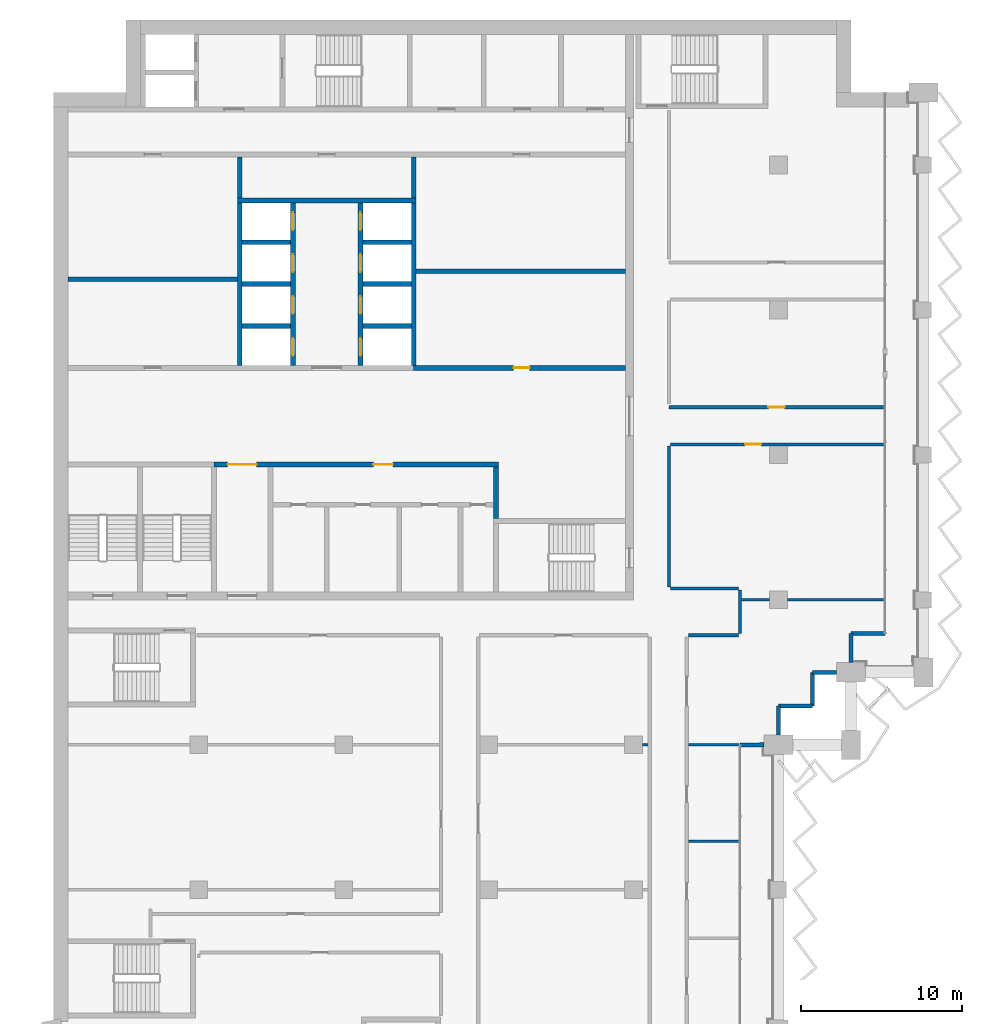
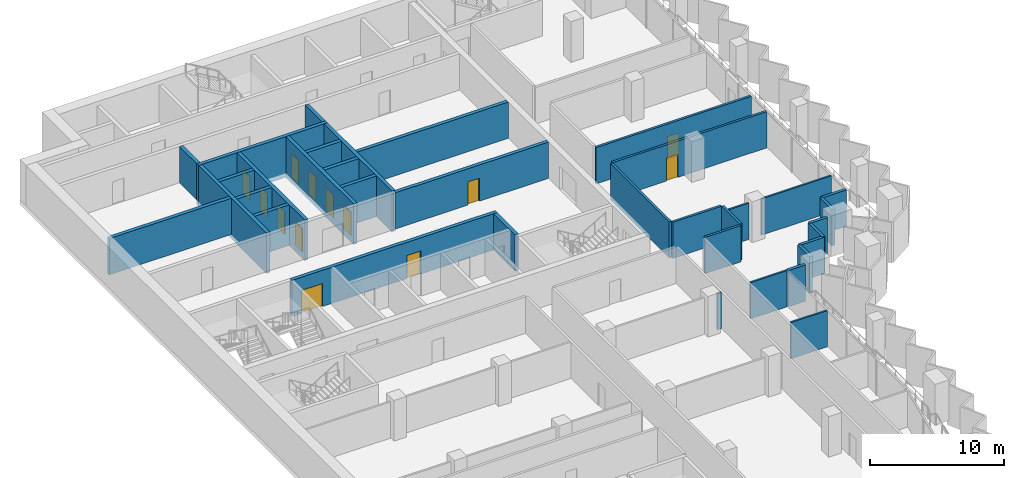
# One storey, part 9 of 17: 36 walls, 13 doors, 13 openings.
"""IFC4 building model written with IfcOpenShell, lengths in metres."""

from ifc_helpers import new_model, si_unit, direction, frame, frame_2d, origin, place, context, subcontext, project, spatial, rectangle, extrude, material, layer, layer_set, type_object, element, fill, save


model = new_model("IFC4")

# Units and contexts
model_context = context("Model", 3, precision=1e-05, world=origin(), true_north=direction((0.0, 1.0)))
body_context = subcontext(model_context, "Body", "Model", "MODEL_VIEW")
ifc_project = project(units=[si_unit("LENGTHUNIT", "METRE"), si_unit("AREAUNIT", "SQUARE_METRE"), si_unit("VOLUMEUNIT", "CUBIC_METRE"), si_unit("PLANEANGLEUNIT", "RADIAN"), si_unit("MASSUNIT", "GRAM", prefix="KILO")], contexts=[model_context])

# Site, building, storey
site_placement = place(None, origin())
site = spatial("IfcSite", under=ifc_project, at=site_placement, CompositionType="ELEMENT")
building_placement = place(site_placement, origin())
building = spatial("IfcBuilding", under=site, at=building_placement, Name="Hunhe Ridgeline Campus", CompositionType="ELEMENT")
storey_placement = place(building_placement, frame((0.0, 0.0, 201.300048828125)))
storey = spatial("IfcBuildingStorey", under=building, at=storey_placement, Name="L51", CompositionType="ELEMENT", Elevation=201.300048828125)

# Wall, openings, doors
ifc_material_1 = material(Name="Masonry concrete blockwork", Category="masonry")
ifc_layer_1 = layer(ifc_material_1, 0.300048828125)
ifc_layer_set_1 = layer_set([ifc_layer_1], Name="Core room partition 300 concrete block")
wall_type_1 = type_object("IfcWallType", Name="Core room partition 300 concrete block", PredefinedType="PARTITIONING", material=ifc_layer_set_1)
wall_1_placement = place(storey_placement, frame((9.949951171875, 71.39990234375, 0.0), z_axis=(0.0, 0.0, 1.0), x_axis=(1.0, 0.0, 0.0)))
wall_1 = element("IfcWall", 1, at=wall_1_placement, inside=storey, type_object=wall_type_1, Name="L51 core partition 11", PredefinedType="PARTITIONING", context=body_context, shape_type="SweptSolid", body=[
    extrude(rectangle(XDim=17.650146484375, YDim=0.300048828125, at=frame_2d((8.8251953125, 0.0))), origin(), (0.0, 0.0, 1.0), 3.300048828125),
])
opening_1_placement = place(wall_1_placement, frame((0.85009765625, 0.0, 0.0)))
opening_1 = element("IfcOpeningElement", 2, at=opening_1_placement, cuts=wall_1, Name="Opening CD7", PredefinedType="OPENING", context=body_context, shape_type="SweptSolid", body=[
    extrude(rectangle(XDim=1.800048828125, YDim=2.10009765625, at=frame_2d((0.89990234375, 1.050048828125))), frame((0.0, 0.14990234375, 0.0), z_axis=(0.0, -1.0, 0.0), x_axis=(1.0, 0.0, 0.0)), (0.0, 0.0, 1.0), 0.300048828125),
])
opening_2_placement = place(wall_1_placement, frame((9.89990234375, 0.0, 0.0)))
opening_2 = element("IfcOpeningElement", 3, at=opening_2_placement, cuts=wall_1, Name="Opening CD12", PredefinedType="OPENING", context=body_context, shape_type="SweptSolid", body=[
    extrude(rectangle(XDim=1.199951171875, YDim=2.10009765625, at=frame_2d((0.60009765625, 1.050048828125))), frame((0.0, 0.14990234375, 0.0), z_axis=(0.0, -1.0, 0.0), x_axis=(1.0, 0.0, 0.0)), (0.0, 0.0, 1.0), 0.300048828125),
])
ifc_material_2 = material(Name="Anodised aluminium and glass", Category="aluminium")
door_type_1 = type_object("IfcDoorType", Name="Glazed double door 1800x2100", OperationType="DOUBLE_DOOR_SINGLE_SWING", PredefinedType="DOOR", material=ifc_material_2)
door_1_placement = place(opening_1_placement, origin())
door_1 = element("IfcDoor", 4, at=door_1_placement, inside=storey, type_object=door_type_1, Name="L51 door VEST-HALL", OperationType="DOUBLE_DOOR_SINGLE_SWING", OverallHeight=2.10009765625, OverallWidth=1.800048828125, PredefinedType="DOOR", context=body_context, shape_type="SweptSolid", body=[
    extrude(rectangle(XDim=1.800048828125, YDim=2.10009765625, at=frame_2d((0.89990234375, 1.050048828125))), frame((0.0, 0.02490234375, 0.0), z_axis=(0.0, -1.0, 0.0), x_axis=(1.0, 0.0, 0.0)), (0.0, 0.0, 1.0), 0.050048828125),
])
fill(opening_1, door_1)
ifc_material_3 = material(Name="Solid core timber door leaf", Category="wood")
door_type_2 = type_object("IfcDoorType", Name="Timber door 1200x2100", OperationType="SINGLE_SWING_LEFT", PredefinedType="DOOR", material=ifc_material_3)
door_2_placement = place(opening_2_placement, origin())
door_2 = element("IfcDoor", 5, at=door_2_placement, inside=storey, type_object=door_type_2, Name="L51 door WCL2-HALL", OperationType="SINGLE_SWING_RIGHT", OverallHeight=2.10009765625, OverallWidth=1.199951171875, PredefinedType="DOOR", context=body_context, shape_type="SweptSolid", body=[
    extrude(rectangle(XDim=1.199951171875, YDim=2.10009765625, at=frame_2d((0.60009765625, 1.050048828125))), frame((0.0, 0.02490234375, 0.0), z_axis=(0.0, -1.0, 0.0), x_axis=(1.0, 0.0, 0.0)), (0.0, 0.0, 1.0), 0.050048828125),
])
fill(opening_2, door_2)

# Wall, opening, door
wall_2_placement = place(storey_placement, frame((22.35009765625, 77.39990234375, 0.0), z_axis=(0.0, 0.0, 1.0), x_axis=(1.0, 0.0, 0.0)))
wall_2 = element("IfcWall", 6, at=wall_2_placement, inside=storey, type_object=wall_type_1, Name="L51 core partition 13", PredefinedType="PARTITIONING", context=body_context, shape_type="SweptSolid", body=[
    extrude(rectangle(XDim=13.14990234375, YDim=0.300048828125, at=frame_2d((6.574951171875, 0.0))), origin(), (0.0, 0.0, 1.0), 3.300048828125),
])
opening_3_placement = place(wall_2_placement, frame((6.199951171875, 0.0, 0.0)))
opening_3 = element("IfcOpeningElement", 7, at=opening_3_placement, cuts=wall_2, Name="Opening CD32", PredefinedType="OPENING", context=body_context, shape_type="SweptSolid", body=[
    extrude(rectangle(XDim=1.0, YDim=2.10009765625, at=frame_2d((0.5, 1.050048828125))), frame((0.0, 0.14990234375, 0.0), z_axis=(0.0, -1.0, 0.0), x_axis=(1.0, 0.0, 0.0)), (0.0, 0.0, 1.0), 0.300048828125),
])
door_type_3 = type_object("IfcDoorType", Name="Timber door 1000x2100", OperationType="SINGLE_SWING_LEFT", PredefinedType="DOOR", material=ifc_material_3)
door_3_placement = place(opening_3_placement, origin())
door_3 = element("IfcDoor", 8, at=door_3_placement, inside=storey, type_object=door_type_3, Name="L51 door ES0", OperationType="SINGLE_SWING_RIGHT", OverallHeight=2.10009765625, OverallWidth=1.0, PredefinedType="DOOR", context=body_context, shape_type="SweptSolid", body=[
    extrude(rectangle(XDim=1.0, YDim=2.10009765625, at=frame_2d((0.5, 1.050048828125))), frame((0.0, 0.02490234375, 0.0), z_axis=(0.0, -1.0, 0.0), x_axis=(1.0, 0.0, 0.0)), (0.0, 0.0, 1.0), 0.050048828125),
])
fill(opening_3, door_3)

# Walls
wall_3_placement = place(storey_placement, frame((0.89990234375, 82.89990234375, 0.0), z_axis=(0.0, 0.0, 1.0), x_axis=(1.0, 0.0, 0.0)))
element("IfcWall", 9, at=wall_3_placement, inside=storey, type_object=wall_type_1, Name="L51 core partition 18", PredefinedType="PARTITIONING", context=body_context, shape_type="SweptSolid", body=[
    extrude(rectangle(XDim=10.5, YDim=0.300048828125, at=frame_2d((5.25, 0.0))), origin(), (0.0, 0.0, 1.0), 3.300048828125),
])
wall_4_placement = place(storey_placement, frame((22.5, 83.39990234375, 0.0), z_axis=(0.0, 0.0, 1.0), x_axis=(1.0, 0.0, 0.0)))
element("IfcWall", 10, at=wall_4_placement, inside=storey, type_object=wall_type_1, Name="L51 core partition 19", PredefinedType="PARTITIONING", context=body_context, shape_type="SweptSolid", body=[
    extrude(rectangle(XDim=13.0, YDim=0.300048828125, at=frame_2d((6.5, 0.0))), origin(), (0.0, 0.0, 1.0), 3.300048828125),
])
for number, where, z_axis, x_axis, name in (
    (11, (11.550048828125, 87.949951171875, 0.0), (0.0, 0.0, 1.0), (0.0, 1.0, 0.0), "L51 core partition 34"),
    (12, (22.35009765625, 87.949951171875, 0.0), (0.0, 0.0, 1.0), (0.0, 1.0, 0.0), "L51 core partition 44"),
):
    element("IfcWall", number, at=place(storey_placement, frame(where, z_axis=z_axis, x_axis=x_axis)), inside=storey, type_object=wall_type_1, Name=name, PredefinedType="PARTITIONING", context=body_context, shape_type="SweptSolid", body=[
        extrude(rectangle(XDim=2.550048828125, YDim=0.300048828125, at=frame_2d((1.27490234375, 0.0))), origin(), (0.0, 0.0, 1.0), 3.300048828125),
    ])
wall_5_placement = place(storey_placement, frame((27.449951171875, 68.050048828125, 0.0), z_axis=(0.0, 0.0, 1.0), x_axis=(0.0, 1.0, 0.0)))
element("IfcWall", 13, at=wall_5_placement, inside=storey, type_object=wall_type_1, Name="L51 core partition 49", PredefinedType="PARTITIONING", context=body_context, shape_type="SweptSolid", body=[
    extrude(rectangle(XDim=3.199951171875, YDim=0.300048828125, at=frame_2d((1.60009765625, 0.0))), origin(), (0.0, 0.0, 1.0), 3.300048828125),
])
ifc_material_4 = material(Name="Concrete C30", Category="concrete")
ifc_layer_2 = layer(ifc_material_4, 0.25)
ifc_layer_set_2 = layer_set([ifc_layer_2], Name="Corner return wall 250 Concrete C30")
wall_type_2 = type_object("IfcWallType", Name="Corner return wall 250 Concrete C30", PredefinedType="SOLIDWALL", material=ifc_layer_set_2)
wall_6_placement = place(storey_placement, frame((42.59912109375, 54.00048828125, 0.0), z_axis=(0.0, 0.0, 1.0), x_axis=(0.999999986772, 0.00016265452, 0.0)))
element("IfcWall", 14, at=wall_6_placement, inside=storey, type_object=wall_type_2, Name="Corner return wall 2", PredefinedType="SOLIDWALL", context=body_context, shape_type="SweptSolid", body=[
    extrude(rectangle(XDim=1.5009765625, YDim=0.25, at=frame_2d((0.75048828125, 0.0))), origin(), (0.0, 0.0, 1.0), 3.300048828125),
])
wall_7_placement = place(storey_placement, frame((44.9990234375, 54.60009765625, 0.0), z_axis=(0.0, 0.0, 1.0), x_axis=(0.000135593219, 0.999999990807, 0.0)))
element("IfcWall", 15, at=wall_7_placement, inside=storey, type_object=wall_type_2, Name="Corner return wall 3", PredefinedType="SOLIDWALL", context=body_context, shape_type="SweptSolid", body=[
    extrude(rectangle(XDim=1.800537109375, YDim=0.25, at=frame_2d((0.900390625, 0.0))), origin(), (0.0, 0.0, 1.0), 3.300048828125),
])
wall_8_placement = place(storey_placement, frame((44.999267578125, 56.400634765625, 0.0), z_axis=(0.0, 0.0, 1.0), x_axis=(0.999999993241, 0.00011626555, 0.0)))
element("IfcWall", 16, at=wall_8_placement, inside=storey, type_object=wall_type_2, Name="Corner return wall 4", PredefinedType="SOLIDWALL", context=body_context, shape_type="SweptSolid", body=[
    extrude(rectangle(XDim=2.099853515625, YDim=0.25, at=frame_2d((1.0498046875, 0.0))), origin(), (0.0, 0.0, 1.0), 3.300048828125),
])
wall_9_placement = place(storey_placement, frame((47.09912109375, 56.40087890625, 0.0), z_axis=(0.0, 0.0, 1.0), x_axis=(0.000232504063, 0.999999972971, 0.0)))
element("IfcWall", 17, at=wall_9_placement, inside=storey, type_object=wall_type_2, Name="Corner return wall 5", PredefinedType="SOLIDWALL", context=body_context, shape_type="SweptSolid", body=[
    extrude(rectangle(XDim=2.10009765625, YDim=0.25, at=frame_2d((1.050048828125, 0.0))), origin(), (0.0, 0.0, 1.0), 3.300048828125),
])
wall_10_placement = place(storey_placement, frame((47.099609375, 58.5009765625, 0.0), z_axis=(0.0, 0.0, 1.0), x_axis=(1.0, 0.0, 0.0)))
element("IfcWall", 18, at=wall_10_placement, inside=storey, type_object=wall_type_2, Name="Corner return wall 6", PredefinedType="SOLIDWALL", context=body_context, shape_type="SweptSolid", body=[
    extrude(rectangle(XDim=1.50048828125, YDim=0.25, at=frame_2d((0.750244140625, 0.0))), origin(), (0.0, 0.0, 1.0), 3.300048828125),
])
wall_11_placement = place(storey_placement, frame((49.4990234375, 59.10009765625, 0.0), z_axis=(0.0, 0.0, 1.0), x_axis=(0.000271149665, 0.999999963239, 0.0)))
element("IfcWall", 19, at=wall_11_placement, inside=storey, type_object=wall_type_2, Name="Corner return wall 7", PredefinedType="SOLIDWALL", context=body_context, shape_type="SweptSolid", body=[
    extrude(rectangle(XDim=1.80078125, YDim=0.25, at=frame_2d((0.900390625, 0.0))), origin(), (0.0, 0.0, 1.0), 3.300048828125),
])
wall_12_placement = place(storey_placement, frame((49.49951171875, 60.90087890625, 0.0), z_axis=(0.0, 0.0, 1.0), x_axis=(1.0, 0.0, 0.0)))
element("IfcWall", 20, at=wall_12_placement, inside=storey, type_object=wall_type_2, Name="Corner return wall 8", PredefinedType="SOLIDWALL", context=body_context, shape_type="SweptSolid", body=[
    extrude(rectangle(XDim=2.099609375, YDim=0.25, at=frame_2d((1.0498046875, 0.0))), origin(), (0.0, 0.0, 1.0), 3.300048828125),
])
ifc_material_5 = material(Name="Gypsum board partition")
ifc_layer_3 = layer(ifc_material_5, 0.199951171875)
ifc_layer_set_3 = layer_set([ifc_layer_3], Name="Corridor partition 200 gypsum board on steel studs")
wall_type_3 = type_object("IfcWallType", Name="Corridor partition 200 gypsum board on steel studs", PredefinedType="PARTITIONING", material=ifc_layer_set_3)
wall_13_placement = place(storey_placement, frame((42.5, 60.800048828125, 0.0), z_axis=(0.0, 0.0, 1.0), x_axis=(-1.0, 0.0, 0.0)))
element("IfcWall", 21, at=wall_13_placement, inside=storey, type_object=wall_type_3, Name="F-L51-wall-028", PredefinedType="PARTITIONING", context=body_context, shape_type="SweptSolid", body=[
    extrude(rectangle(XDim=3.10009765625, YDim=0.199951171875, at=frame_2d((1.550048828125, 0.0))), origin(), (0.0, 0.0, 1.0), 3.300048828125),
])
wall_14_placement = place(storey_placement, frame((38.300048828125, 63.699951171875, 0.0), z_axis=(0.0, 0.0, 1.0), x_axis=(1.0, 0.0, 0.0)))
element("IfcWall", 22, at=wall_14_placement, inside=storey, type_object=wall_type_3, Name="F-L51-wall-031", PredefinedType="PARTITIONING", context=body_context, shape_type="SweptSolid", body=[
    extrude(rectangle(XDim=4.199951171875, YDim=0.199951171875, at=frame_2d((2.10009765625, 0.0))), origin(), (0.0, 0.0, 1.0), 3.300048828125),
])

# Wall, opening, door
wall_15_placement = place(storey_placement, frame((51.544921875, 72.64990234375, 0.0), z_axis=(0.0, 0.0, 1.0), x_axis=(-1.0, 0.0, 0.0)))
wall_15 = element("IfcWall", 23, at=wall_15_placement, inside=storey, type_object=wall_type_3, Name="F-L51-wall-032", PredefinedType="PARTITIONING", context=body_context, shape_type="SweptSolid", body=[
    extrude(rectangle(XDim=13.244873046875, YDim=0.199951171875, at=frame_2d((6.62255859375, 0.0))), origin(), (0.0, 0.0, 1.0), 3.300048828125),
])
opening_4_placement = place(wall_15_placement, frame((7.62255859375, 0.0, 0.0)))
opening_4 = element("IfcOpeningElement", 24, at=opening_4_placement, cuts=wall_15, Name="Opening RD1-016", PredefinedType="OPENING", context=body_context, shape_type="SweptSolid", body=[
    extrude(rectangle(XDim=1.0, YDim=2.10009765625, at=frame_2d((0.5, 1.050048828125))), frame((0.0, 0.10009765625, 0.0), z_axis=(0.0, -1.0, 0.0), x_axis=(1.0, 0.0, 0.0)), (0.0, 0.0, 1.0), 0.199951171875),
])
ifc_material_6 = material(Name="Timber door leaf", Category="wood")
door_type_4 = type_object("IfcDoorType", Name="Single fire door 1000x2100 timber FD60", OperationType="NOTDEFINED", PredefinedType="DOOR", material=ifc_material_6)
door_4_placement = place(opening_4_placement, origin())
door_4 = element("IfcDoor", 25, at=door_4_placement, inside=storey, type_object=door_type_4, Name="F-L51-door-016", OperationType="SINGLE_SWING_RIGHT", OverallHeight=2.10009765625, OverallWidth=1.0, PredefinedType="DOOR", context=body_context, shape_type="SweptSolid", body=[
    extrude(rectangle(XDim=1.0, YDim=2.10009765625, at=frame_2d((0.5, 1.050048828125))), frame((0.0, 0.02490234375, 0.0), z_axis=(0.0, -1.0, 0.0), x_axis=(1.0, 0.0, 0.0)), (0.0, 0.0, 1.0), 0.050048828125),
])
fill(opening_4, door_4)

wall_16_placement = place(storey_placement, frame((38.199951171875, 74.949951171875, 0.0), z_axis=(0.0, 0.0, 1.0), x_axis=(1.0, 0.0, 0.0)))
wall_16 = element("IfcWall", 26, at=wall_16_placement, inside=storey, type_object=wall_type_3, Name="F-L51-wall-033", PredefinedType="PARTITIONING", context=body_context, shape_type="SweptSolid", body=[
    extrude(rectangle(XDim=13.344970703125, YDim=0.199951171875, at=frame_2d((6.67236328125, 0.0))), origin(), (0.0, 0.0, 1.0), 3.300048828125),
])
opening_5_placement = place(wall_16_placement, frame((6.172607421875, 0.0, 0.0)))
opening_5 = element("IfcOpeningElement", 27, at=opening_5_placement, cuts=wall_16, Name="Opening RD1-017", PredefinedType="OPENING", context=body_context, shape_type="SweptSolid", body=[
    extrude(rectangle(XDim=1.0, YDim=2.10009765625, at=frame_2d((0.5, 1.050048828125))), frame((0.0, 0.10009765625, 0.0), z_axis=(0.0, -1.0, 0.0), x_axis=(1.0, 0.0, 0.0)), (0.0, 0.0, 1.0), 0.199951171875),
])
door_5_placement = place(opening_5_placement, origin())
door_5 = element("IfcDoor", 28, at=door_5_placement, inside=storey, type_object=door_type_4, Name="F-L51-door-017", OperationType="SINGLE_SWING_LEFT", OverallHeight=2.10009765625, OverallWidth=1.0, PredefinedType="DOOR", context=body_context, shape_type="SweptSolid", body=[
    extrude(rectangle(XDim=1.0, YDim=2.10009765625, at=frame_2d((0.5, 1.050048828125))), frame((0.0, 0.02490234375, 0.0), z_axis=(0.0, -1.0, 0.0), x_axis=(1.0, 0.0, 0.0)), (0.0, 0.0, 1.0), 0.050048828125),
])
fill(opening_5, door_5)

# Walls
wall_17_placement = place(storey_placement, frame((38.199951171875, 72.550048828125, 0.0), z_axis=(0.0, 0.0, 1.0), x_axis=(0.0, -1.0, 0.0)))
element("IfcWall", 29, at=wall_17_placement, inside=storey, type_object=wall_type_3, Name="F-L51-wall-044", PredefinedType="PARTITIONING", context=body_context, shape_type="SweptSolid", body=[
    extrude(rectangle(XDim=8.75, YDim=0.199951171875, at=frame_2d((4.375, 0.0))), origin(), (0.0, 0.0, 1.0), 3.300048828125),
])
wall_18_placement = place(storey_placement, frame((42.60009765625, 63.60009765625, 0.0), z_axis=(0.0, 0.0, 1.0), x_axis=(0.0, -1.0, 0.0)))
element("IfcWall", 30, at=wall_18_placement, inside=storey, type_object=wall_type_3, Name="F-L51-wall-048", PredefinedType="PARTITIONING", context=body_context, shape_type="SweptSolid", body=[
    extrude(rectangle(XDim=2.7001953125, YDim=0.199951171875, at=frame_2d((1.35009765625, 0.0))), origin(), (0.0, 0.0, 1.0), 3.300048828125),
])
ifc_layer_4 = layer(ifc_material_5, 0.14990234375)
ifc_layer_set_4 = layer_set([ifc_layer_4], Name="Room partition 150 gypsum board on steel studs")
wall_type_4 = type_object("IfcWallType", Name="Room partition 150 gypsum board on steel studs", PredefinedType="PARTITIONING", material=ifc_layer_set_4)
wall_19_placement = place(storey_placement, frame((39.39990234375, 48.0, 0.0), z_axis=(0.0, 0.0, 1.0), x_axis=(1.0, 0.0, 0.0)))
element("IfcWall", 31, at=wall_19_placement, inside=storey, type_object=wall_type_4, Name="F-L51-wall-019", PredefinedType="PARTITIONING", context=body_context, shape_type="SweptSolid", body=[
    extrude(rectangle(XDim=3.145263671875, YDim=0.14990234375, at=frame_2d((1.57275390625, 0.0))), origin(), (0.0, 0.0, 1.0), 3.300048828125),
])
wall_20_placement = place(storey_placement, frame((36.550048828125, 54.0, 0.0), z_axis=(0.0, 0.0, 1.0), x_axis=(1.0, 0.0, 0.0)))
element("IfcWall", 32, at=wall_20_placement, inside=storey, type_object=wall_type_4, Name="F-L51-wall-024", PredefinedType="PARTITIONING", context=body_context, shape_type="SweptSolid", body=[
    extrude(rectangle(XDim=0.349853515625, YDim=0.14990234375, at=frame_2d((0.1748046875, 0.0))), origin(), (0.0, 0.0, 1.0), 3.300048828125),
])
wall_21_placement = place(storey_placement, frame((39.39990234375, 54.0, 0.0), z_axis=(0.0, 0.0, 1.0), x_axis=(1.0, 0.0, 0.0)))
element("IfcWall", 33, at=wall_21_placement, inside=storey, type_object=wall_type_4, Name="F-L51-wall-025", PredefinedType="PARTITIONING", context=body_context, shape_type="SweptSolid", body=[
    extrude(rectangle(XDim=3.145263671875, YDim=0.14990234375, at=frame_2d((1.57275390625, 0.0))), origin(), (0.0, 0.0, 1.0), 3.300048828125),
])
wall_22_placement = place(storey_placement, frame((42.699951171875, 63.0, 0.0), z_axis=(0.0, 0.0, 1.0), x_axis=(1.0, 0.0, 0.0)))
element("IfcWall", 34, at=wall_22_placement, inside=storey, type_object=wall_type_4, Name="F-L51-wall-029", PredefinedType="PARTITIONING", context=body_context, shape_type="SweptSolid", body=[
    extrude(rectangle(XDim=1.75, YDim=0.14990234375, at=frame_2d((0.875, 0.0))), origin(), (0.0, 0.0, 1.0), 3.300048828125),
])
wall_23_placement = place(storey_placement, frame((45.550048828125, 63.0, 0.0), z_axis=(0.0, 0.0, 1.0), x_axis=(1.0, 0.0, 0.0)))
element("IfcWall", 35, at=wall_23_placement, inside=storey, type_object=wall_type_4, Name="F-L51-wall-030", PredefinedType="PARTITIONING", context=body_context, shape_type="SweptSolid", body=[
    extrude(rectangle(XDim=5.994873046875, YDim=0.14990234375, at=frame_2d((2.99755859375, 0.0))), origin(), (0.0, 0.0, 1.0), 3.300048828125),
])
ifc_material_7 = material(Name="Concrete C60", Category="concrete")
ifc_layer_5 = layer(ifc_material_7, 0.300048828125)
ifc_layer_set_5 = layer_set([ifc_layer_5], Name="Shaft wall 300 reinforced concrete C60")
wall_type_5 = type_object("IfcWallType", Name="Shaft wall 300 reinforced concrete C60", PredefinedType="SOLIDWALL", material=ifc_layer_set_5)
for number, where, z_axis, x_axis, name in (
    (36, (11.699951171875, 80.0, -0.400146484375), (0.0, 0.0, 1.0), (1.0, 0.0, 0.0), "L51 core wall 14"),
    (37, (19.199951171875, 80.0, -0.400146484375), (0.0, 0.0, 1.0), (1.0, 0.0, 0.0), "L51 core wall 15"),
    (38, (11.699951171875, 82.60009765625, -0.400146484375), (0.0, 0.0, 1.0), (1.0, 0.0, 0.0), "L51 core wall 16"),
    (39, (19.199951171875, 82.60009765625, -0.400146484375), (0.0, 0.0, 1.0), (1.0, 0.0, 0.0), "L51 core wall 17"),
    (40, (11.699951171875, 85.199951171875, -0.400146484375), (0.0, 0.0, 1.0), (1.0, 0.0, 0.0), "L51 core wall 20"),
    (41, (19.199951171875, 85.199951171875, -0.400146484375), (0.0, 0.0, 1.0), (1.0, 0.0, 0.0), "L51 core wall 21"),
):
    element("IfcWall", number, at=place(storey_placement, frame(where, z_axis=z_axis, x_axis=x_axis)), inside=storey, type_object=wall_type_5, Name=name, PredefinedType="SOLIDWALL", context=body_context, shape_type="SweptSolid", body=[
        extrude(rectangle(XDim=3.0, YDim=0.300048828125, at=frame_2d((1.5, 0.0))), origin(), (0.0, 0.0, 1.0), 3.7001953125),
    ])
wall_24_placement = place(storey_placement, frame((11.39990234375, 87.800048828125, -0.400146484375), z_axis=(0.0, 0.0, 1.0), x_axis=(1.0, 0.0, 0.0)))
element("IfcWall", 42, at=wall_24_placement, inside=storey, type_object=wall_type_5, Name="L51 core wall 22", PredefinedType="SOLIDWALL", context=body_context, shape_type="SweptSolid", body=[
    extrude(rectangle(XDim=11.10009765625, YDim=0.300048828125, at=frame_2d((5.550048828125, 0.0))), origin(), (0.0, 0.0, 1.0), 3.7001953125),
])
wall_25_placement = place(storey_placement, frame((11.550048828125, 77.550048828125, -0.400146484375), z_axis=(0.0, 0.0, 1.0), x_axis=(0.0, 1.0, 0.0)))
element("IfcWall", 43, at=wall_25_placement, inside=storey, type_object=wall_type_5, Name="L51 core wall 33", PredefinedType="SOLIDWALL", context=body_context, shape_type="SweptSolid", body=[
    extrude(rectangle(XDim=10.099853515625, YDim=0.300048828125, at=frame_2d((5.0498046875, 0.0))), origin(), (0.0, 0.0, 1.0), 3.7001953125),
])

# Wall, openings, doors
wall_26_placement = place(storey_placement, frame((14.85009765625, 77.550048828125, -0.400146484375), z_axis=(0.0, 0.0, 1.0), x_axis=(0.0, 1.0, 0.0)))
wall_26 = element("IfcWall", 44, at=wall_26_placement, inside=storey, type_object=wall_type_5, Name="L51 core wall 37", PredefinedType="SOLIDWALL", context=body_context, shape_type="SweptSolid", body=[
    extrude(rectangle(XDim=10.099853515625, YDim=0.300048828125, at=frame_2d((5.0498046875, 0.0))), origin(), (0.0, 0.0, 1.0), 3.7001953125),
])
opening_6_placement = place(wall_26_placement, frame((0.60009765625, 0.0, 0.39990234375)))
opening_6 = element("IfcOpeningElement", 45, at=opening_6_placement, cuts=wall_26, Name="Opening LD-HR1", PredefinedType="OPENING", context=body_context, shape_type="SweptSolid", body=[
    extrude(rectangle(XDim=1.10009765625, YDim=2.10009765625, at=frame_2d((0.550048828125, 1.050048828125))), frame((0.0, 0.14990234375, 0.0), z_axis=(0.0, -1.0, 0.0), x_axis=(1.0, 0.0, 0.0)), (0.0, 0.0, 1.0), 0.300048828125),
])
opening_7_placement = place(wall_26_placement, frame((3.199951171875, 0.0, 0.39990234375)))
opening_7 = element("IfcOpeningElement", 46, at=opening_7_placement, cuts=wall_26, Name="Opening LD-HR2", PredefinedType="OPENING", context=body_context, shape_type="SweptSolid", body=[
    extrude(rectangle(XDim=1.10009765625, YDim=2.10009765625, at=frame_2d((0.550048828125, 1.050048828125))), frame((0.0, 0.14990234375, 0.0), z_axis=(0.0, -1.0, 0.0), x_axis=(1.0, 0.0, 0.0)), (0.0, 0.0, 1.0), 0.300048828125),
])
opening_8_placement = place(wall_26_placement, frame((5.800048828125, 0.0, 0.39990234375)))
opening_8 = element("IfcOpeningElement", 47, at=opening_8_placement, cuts=wall_26, Name="Opening LD-HR3", PredefinedType="OPENING", context=body_context, shape_type="SweptSolid", body=[
    extrude(rectangle(XDim=1.10009765625, YDim=2.10009765625, at=frame_2d((0.550048828125, 1.050048828125))), frame((0.0, 0.14990234375, 0.0), z_axis=(0.0, -1.0, 0.0), x_axis=(1.0, 0.0, 0.0)), (0.0, 0.0, 1.0), 0.300048828125),
])
opening_9_placement = place(wall_26_placement, frame((8.39990234375, 0.0, 0.39990234375)))
opening_9 = element("IfcOpeningElement", 48, at=opening_9_placement, cuts=wall_26, Name="Opening LD-HR4", PredefinedType="OPENING", context=body_context, shape_type="SweptSolid", body=[
    extrude(rectangle(XDim=1.10009765625, YDim=2.10009765625, at=frame_2d((0.550048828125, 1.050048828125))), frame((0.0, 0.14990234375, 0.0), z_axis=(0.0, -1.0, 0.0), x_axis=(1.0, 0.0, 0.0)), (0.0, 0.0, 1.0), 0.300048828125),
])
ifc_material_8 = material(Name="Stainless steel sliding leaves", Category="steel")
door_type_5 = type_object("IfcDoorType", Name="Landing door 1100x2100 FD120", OperationType="SLIDING_TO_LEFT", PredefinedType="DOOR", material=ifc_material_8)
door_6_placement = place(opening_6_placement, origin())
door_6 = element("IfcDoor", 49, at=door_6_placement, inside=storey, type_object=door_type_5, Name="L51 landing door HR1", OperationType="SLIDING_TO_RIGHT", OverallHeight=2.10009765625, OverallWidth=1.10009765625, PredefinedType="DOOR", context=body_context, shape_type="SweptSolid", body=[
    extrude(rectangle(XDim=1.10009765625, YDim=2.10009765625, at=frame_2d((0.550048828125, 1.050048828125))), frame((0.0, 0.02490234375, 0.0), z_axis=(0.0, -1.0, 0.0), x_axis=(1.0, 0.0, 0.0)), (0.0, 0.0, 1.0), 0.050048828125),
])
fill(opening_6, door_6)
door_7_placement = place(opening_7_placement, origin())
door_7 = element("IfcDoor", 50, at=door_7_placement, inside=storey, type_object=door_type_5, Name="L51 landing door HR2", OperationType="SLIDING_TO_LEFT", OverallHeight=2.10009765625, OverallWidth=1.10009765625, PredefinedType="DOOR", context=body_context, shape_type="SweptSolid", body=[
    extrude(rectangle(XDim=1.10009765625, YDim=2.10009765625, at=frame_2d((0.550048828125, 1.050048828125))), frame((0.0, 0.02490234375, 0.0), z_axis=(0.0, -1.0, 0.0), x_axis=(1.0, 0.0, 0.0)), (0.0, 0.0, 1.0), 0.050048828125),
])
fill(opening_7, door_7)
door_8_placement = place(opening_8_placement, origin())
door_8 = element("IfcDoor", 51, at=door_8_placement, inside=storey, type_object=door_type_5, Name="L51 landing door HR3", OperationType="SLIDING_TO_RIGHT", OverallHeight=2.10009765625, OverallWidth=1.10009765625, PredefinedType="DOOR", context=body_context, shape_type="SweptSolid", body=[
    extrude(rectangle(XDim=1.10009765625, YDim=2.10009765625, at=frame_2d((0.550048828125, 1.050048828125))), frame((0.0, 0.02490234375, 0.0), z_axis=(0.0, -1.0, 0.0), x_axis=(1.0, 0.0, 0.0)), (0.0, 0.0, 1.0), 0.050048828125),
])
fill(opening_8, door_8)
door_9_placement = place(opening_9_placement, origin())
door_9 = element("IfcDoor", 52, at=door_9_placement, inside=storey, type_object=door_type_5, Name="L51 landing door HR4", OperationType="SLIDING_TO_LEFT", OverallHeight=2.10009765625, OverallWidth=1.10009765625, PredefinedType="DOOR", context=body_context, shape_type="SweptSolid", body=[
    extrude(rectangle(XDim=1.10009765625, YDim=2.10009765625, at=frame_2d((0.550048828125, 1.050048828125))), frame((0.0, 0.02490234375, 0.0), z_axis=(0.0, -1.0, 0.0), x_axis=(1.0, 0.0, 0.0)), (0.0, 0.0, 1.0), 0.050048828125),
])
fill(opening_9, door_9)

wall_27_placement = place(storey_placement, frame((19.050048828125, 77.550048828125, -0.400146484375), z_axis=(0.0, 0.0, 1.0), x_axis=(0.0, 1.0, 0.0)))
wall_27 = element("IfcWall", 53, at=wall_27_placement, inside=storey, type_object=wall_type_5, Name="L51 core wall 39", PredefinedType="SOLIDWALL", context=body_context, shape_type="SweptSolid", body=[
    extrude(rectangle(XDim=10.099853515625, YDim=0.300048828125, at=frame_2d((5.0498046875, 0.0))), origin(), (0.0, 0.0, 1.0), 3.7001953125),
])
opening_10_placement = place(wall_27_placement, frame((0.60009765625, 0.0, 0.39990234375)))
opening_10 = element("IfcOpeningElement", 54, at=opening_10_placement, cuts=wall_27, Name="Opening LD-HR5", PredefinedType="OPENING", context=body_context, shape_type="SweptSolid", body=[
    extrude(rectangle(XDim=1.10009765625, YDim=2.10009765625, at=frame_2d((0.550048828125, 1.050048828125))), frame((0.0, 0.14990234375, 0.0), z_axis=(0.0, -1.0, 0.0), x_axis=(1.0, 0.0, 0.0)), (0.0, 0.0, 1.0), 0.300048828125),
])
opening_11_placement = place(wall_27_placement, frame((3.199951171875, 0.0, 0.39990234375)))
opening_11 = element("IfcOpeningElement", 55, at=opening_11_placement, cuts=wall_27, Name="Opening LD-HR6", PredefinedType="OPENING", context=body_context, shape_type="SweptSolid", body=[
    extrude(rectangle(XDim=1.10009765625, YDim=2.10009765625, at=frame_2d((0.550048828125, 1.050048828125))), frame((0.0, 0.14990234375, 0.0), z_axis=(0.0, -1.0, 0.0), x_axis=(1.0, 0.0, 0.0)), (0.0, 0.0, 1.0), 0.300048828125),
])
opening_12_placement = place(wall_27_placement, frame((5.800048828125, 0.0, 0.39990234375)))
opening_12 = element("IfcOpeningElement", 56, at=opening_12_placement, cuts=wall_27, Name="Opening LD-HR7", PredefinedType="OPENING", context=body_context, shape_type="SweptSolid", body=[
    extrude(rectangle(XDim=1.10009765625, YDim=2.10009765625, at=frame_2d((0.550048828125, 1.050048828125))), frame((0.0, 0.14990234375, 0.0), z_axis=(0.0, -1.0, 0.0), x_axis=(1.0, 0.0, 0.0)), (0.0, 0.0, 1.0), 0.300048828125),
])
opening_13_placement = place(wall_27_placement, frame((8.39990234375, 0.0, 0.39990234375)))
opening_13 = element("IfcOpeningElement", 57, at=opening_13_placement, cuts=wall_27, Name="Opening LD-HR8", PredefinedType="OPENING", context=body_context, shape_type="SweptSolid", body=[
    extrude(rectangle(XDim=1.10009765625, YDim=2.10009765625, at=frame_2d((0.550048828125, 1.050048828125))), frame((0.0, 0.14990234375, 0.0), z_axis=(0.0, -1.0, 0.0), x_axis=(1.0, 0.0, 0.0)), (0.0, 0.0, 1.0), 0.300048828125),
])
door_10_placement = place(opening_10_placement, origin())
door_10 = element("IfcDoor", 58, at=door_10_placement, inside=storey, type_object=door_type_5, Name="L51 landing door HR5", OperationType="SLIDING_TO_RIGHT", OverallHeight=2.10009765625, OverallWidth=1.10009765625, PredefinedType="DOOR", context=body_context, shape_type="SweptSolid", body=[
    extrude(rectangle(XDim=1.10009765625, YDim=2.10009765625, at=frame_2d((0.550048828125, 1.050048828125))), frame((0.0, 0.02490234375, 0.0), z_axis=(0.0, -1.0, 0.0), x_axis=(1.0, 0.0, 0.0)), (0.0, 0.0, 1.0), 0.050048828125),
])
fill(opening_10, door_10)
door_11_placement = place(opening_11_placement, origin())
door_11 = element("IfcDoor", 59, at=door_11_placement, inside=storey, type_object=door_type_5, Name="L51 landing door HR6", OperationType="SLIDING_TO_LEFT", OverallHeight=2.10009765625, OverallWidth=1.10009765625, PredefinedType="DOOR", context=body_context, shape_type="SweptSolid", body=[
    extrude(rectangle(XDim=1.10009765625, YDim=2.10009765625, at=frame_2d((0.550048828125, 1.050048828125))), frame((0.0, 0.02490234375, 0.0), z_axis=(0.0, -1.0, 0.0), x_axis=(1.0, 0.0, 0.0)), (0.0, 0.0, 1.0), 0.050048828125),
])
fill(opening_11, door_11)
door_12_placement = place(opening_12_placement, origin())
door_12 = element("IfcDoor", 60, at=door_12_placement, inside=storey, type_object=door_type_5, Name="L51 landing door HR7", OperationType="SLIDING_TO_RIGHT", OverallHeight=2.10009765625, OverallWidth=1.10009765625, PredefinedType="DOOR", context=body_context, shape_type="SweptSolid", body=[
    extrude(rectangle(XDim=1.10009765625, YDim=2.10009765625, at=frame_2d((0.550048828125, 1.050048828125))), frame((0.0, 0.02490234375, 0.0), z_axis=(0.0, -1.0, 0.0), x_axis=(1.0, 0.0, 0.0)), (0.0, 0.0, 1.0), 0.050048828125),
])
fill(opening_12, door_12)
door_13_placement = place(opening_13_placement, origin())
door_13 = element("IfcDoor", 61, at=door_13_placement, inside=storey, type_object=door_type_5, Name="L51 landing door HR8", OperationType="SLIDING_TO_LEFT", OverallHeight=2.10009765625, OverallWidth=1.10009765625, PredefinedType="DOOR", context=body_context, shape_type="SweptSolid", body=[
    extrude(rectangle(XDim=1.10009765625, YDim=2.10009765625, at=frame_2d((0.550048828125, 1.050048828125))), frame((0.0, 0.02490234375, 0.0), z_axis=(0.0, -1.0, 0.0), x_axis=(1.0, 0.0, 0.0)), (0.0, 0.0, 1.0), 0.050048828125),
])
fill(opening_13, door_13)

# Wall
wall_28_placement = place(storey_placement, frame((22.35009765625, 77.550048828125, -0.400146484375), z_axis=(0.0, 0.0, 1.0), x_axis=(0.0, 1.0, 0.0)))
element("IfcWall", 62, at=wall_28_placement, inside=storey, type_object=wall_type_5, Name="L51 core wall 43", PredefinedType="SOLIDWALL", context=body_context, shape_type="SweptSolid", body=[
    extrude(rectangle(XDim=10.099853515625, YDim=0.300048828125, at=frame_2d((5.0498046875, 0.0))), origin(), (0.0, 0.0, 1.0), 3.7001953125),
])

save(model, "model.ifc")
